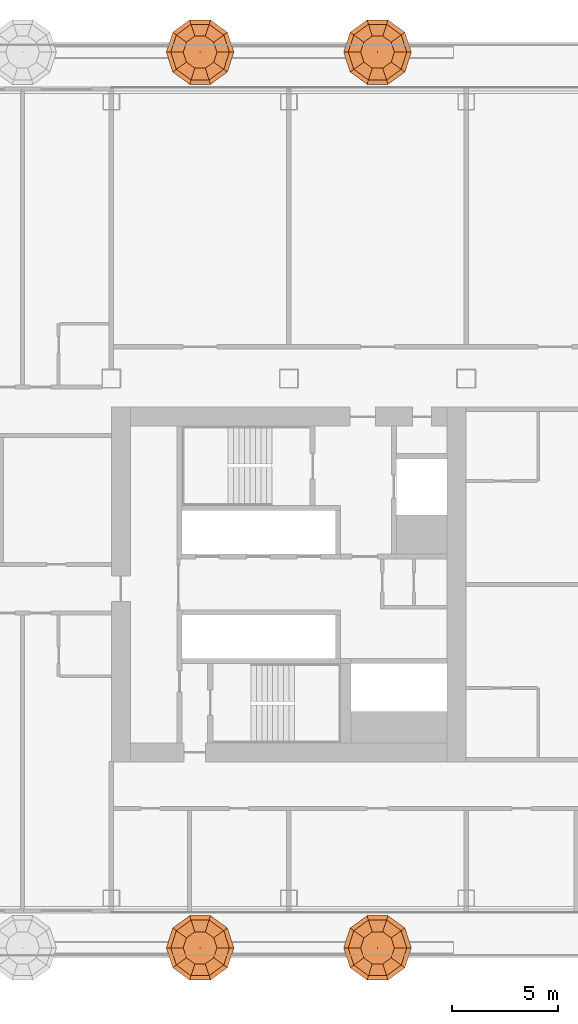
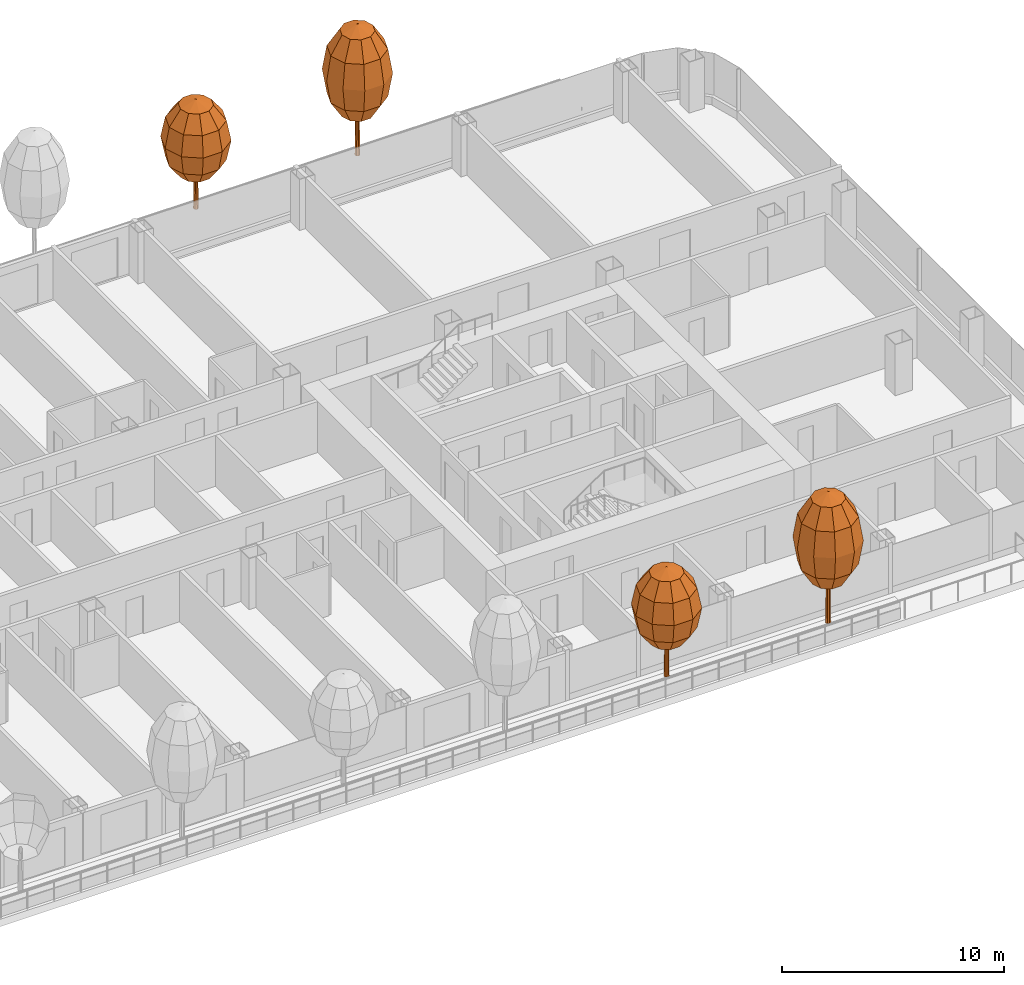
# One storey, part 34 of 34: 4 geographic elements.
"""IFC4 building model written with IfcOpenShell, lengths in metres."""

from ifc_helpers import new_model, si_unit, direction, frame, origin, place, context, subcontext, project, spatial, triangles, material, type_object, element, save


model = new_model("IFC4")

# Units and contexts
model_context = context("Model", 3, precision=1e-05, world=origin(), true_north=direction((0.0, 1.0)))
body_context = subcontext(model_context, "Body", "Model", "MODEL_VIEW")
ifc_project = project(units=[si_unit("LENGTHUNIT", "METRE"), si_unit("AREAUNIT", "SQUARE_METRE"), si_unit("VOLUMEUNIT", "CUBIC_METRE"), si_unit("PLANEANGLEUNIT", "RADIAN"), si_unit("MASSUNIT", "GRAM", prefix="KILO")], contexts=[model_context])

# Site, building, storey
site_placement = place(None, origin())
site = spatial("IfcSite", under=ifc_project, at=site_placement, CompositionType="ELEMENT")
building_placement = place(site_placement, origin())
building = spatial("IfcBuilding", under=site, at=building_placement, Name="Hakoniwa Tower and Hamabe Station Hall", CompositionType="ELEMENT")
storey_placement = place(building_placement, frame((0.0, 0.0, 94.60009765625)))
storey = spatial("IfcBuildingStorey", under=building, at=storey_placement, Name="L26", CompositionType="ELEMENT", Elevation=94.60009765625)

# Geographic elements
ifc_material_1 = material(Name="Tree foliage")
geographic_element_type_1 = type_object("IfcGeographicElementType", Name="Japanese maple 7.2 m", PredefinedType="USERDEFINED", material=ifc_material_1)
geographic_element_1_placement = place(storey_placement, frame((29.39990234375, 25.199951171875, 0.89990234375)))
element("IfcGeographicElement", 1, at=geographic_element_1_placement, inside=storey, type_object=geographic_element_type_1, Name="Japanese maple 7-2 m", ObjectType="TREE", PredefinedType="USERDEFINED", context=body_context, shape_type="Tessellation", body=[
    triangles([(0.125, 0.0, 0.0), (0.08837890625, 0.08837890625, 0.0), (0.0, 0.125, 0.0), (-0.08837890625, 0.08837890625, 0.0), (-0.125, 0.0, 0.0), (-0.08837890625, -0.08837890625, 0.0), (0.0, -0.125, 0.0), (0.08837890625, -0.08837890625, 0.0), (0.074951171875, 0.0, 4.348876953125), (0.052978515625, 0.052978515625, 4.348876953125), (0.0, 0.074951171875, 4.348876953125), (-0.052978515625, 0.052978515625, 4.348876953125), (-0.074951171875, 0.0, 4.348876953125), (-0.052978515625, -0.052978515625, 4.348876953125), (0.0, -0.074951171875, 4.348876953125), (0.052978515625, -0.052978515625, 4.348876953125), (0.0, 0.0, 0.0), (0.0, 0.0, 4.348876953125)], [[1, 2, 10], [1, 10, 9], [17, 2, 1], [18, 9, 10], [2, 3, 11], [2, 11, 10], [17, 3, 2], [18, 10, 11], [3, 4, 12], [3, 12, 11], [17, 4, 3], [18, 11, 12], [4, 5, 13], [4, 13, 12], [17, 5, 4], [18, 12, 13], [5, 6, 14], [5, 14, 13], [17, 6, 5], [18, 13, 14], [6, 7, 15], [6, 15, 14], [17, 7, 6], [18, 14, 15], [7, 8, 16], [7, 16, 15], [17, 8, 7], [18, 15, 16], [8, 1, 9], [8, 9, 16], [17, 1, 8], [18, 16, 9]], closed=True),
    triangles([(0.0, 0.0, 2.015869140625), (0.800048828125, 0.0, 2.36328125), (0.647216796875, 0.47021484375, 2.36328125), (0.247314453125, 0.7607421875, 2.36328125), (-0.247314453125, 0.7607421875, 2.36328125), (-0.647216796875, 0.47021484375, 2.36328125), (-0.800048828125, 0.0, 2.36328125), (-0.647216796875, -0.47021484375, 2.36328125), (-0.247314453125, -0.7607421875, 2.36328125), (0.247314453125, -0.7607421875, 2.36328125), (0.647216796875, -0.47021484375, 2.36328125), (1.385498046875, 0.0, 3.31201171875), (1.12109375, 0.814453125, 3.31201171875), (0.42822265625, 1.31787109375, 3.31201171875), (-0.42822265625, 1.31787109375, 3.31201171875), (-1.12109375, 0.814453125, 3.31201171875), (-1.385498046875, 0.0, 3.31201171875), (-1.12109375, -0.814453125, 3.31201171875), (-0.42822265625, -1.31787109375, 3.31201171875), (0.42822265625, -1.31787109375, 3.31201171875), (1.12109375, -0.814453125, 3.31201171875), (1.60009765625, 0.0, 4.60791015625), (1.29443359375, 0.9404296875, 4.60791015625), (0.494384765625, 1.521728515625, 4.60791015625), (-0.494384765625, 1.521728515625, 4.60791015625), (-1.29443359375, 0.9404296875, 4.60791015625), (-1.60009765625, 0.0, 4.60791015625), (-1.29443359375, -0.9404296875, 4.60791015625), (-0.494384765625, -1.521728515625, 4.60791015625), (0.494384765625, -1.521728515625, 4.60791015625), (1.29443359375, -0.9404296875, 4.60791015625), (1.385498046875, 0.0, 5.904052734375), (1.12109375, 0.814453125, 5.904052734375), (0.42822265625, 1.31787109375, 5.904052734375), (-0.42822265625, 1.31787109375, 5.904052734375), (-1.12109375, 0.814453125, 5.904052734375), (-1.385498046875, 0.0, 5.904052734375), (-1.12109375, -0.814453125, 5.904052734375), (-0.42822265625, -1.31787109375, 5.904052734375), (0.42822265625, -1.31787109375, 5.904052734375), (1.12109375, -0.814453125, 5.904052734375), (0.800048828125, 0.0, 6.852783203125), (0.647216796875, 0.47021484375, 6.852783203125), (0.247314453125, 0.7607421875, 6.852783203125), (-0.247314453125, 0.7607421875, 6.852783203125), (-0.647216796875, 0.47021484375, 6.852783203125), (-0.800048828125, 0.0, 6.852783203125), (-0.647216796875, -0.47021484375, 6.852783203125), (-0.247314453125, -0.7607421875, 6.852783203125), (0.247314453125, -0.7607421875, 6.852783203125), (0.647216796875, -0.47021484375, 6.852783203125), (0.0, 0.0, 7.199951171875)], [[1, 3, 2], [1, 4, 3], [1, 5, 4], [1, 6, 5], [1, 7, 6], [1, 8, 7], [1, 9, 8], [1, 10, 9], [1, 11, 10], [1, 2, 11], [2, 3, 13], [2, 13, 12], [3, 4, 14], [3, 14, 13], [4, 5, 15], [4, 15, 14], [5, 6, 16], [5, 16, 15], [6, 7, 17], [6, 17, 16], [7, 8, 18], [7, 18, 17], [8, 9, 19], [8, 19, 18], [9, 10, 20], [9, 20, 19], [10, 11, 21], [10, 21, 20], [11, 2, 12], [11, 12, 21], [12, 13, 23], [12, 23, 22], [13, 14, 24], [13, 24, 23], [14, 15, 25], [14, 25, 24], [15, 16, 26], [15, 26, 25], [16, 17, 27], [16, 27, 26], [17, 18, 28], [17, 28, 27], [18, 19, 29], [18, 29, 28], [19, 20, 30], [19, 30, 29], [20, 21, 31], [20, 31, 30], [21, 12, 22], [21, 22, 31], [22, 23, 33], [22, 33, 32], [23, 24, 34], [23, 34, 33], [24, 25, 35], [24, 35, 34], [25, 26, 36], [25, 36, 35], [26, 27, 37], [26, 37, 36], [27, 28, 38], [27, 38, 37], [28, 29, 39], [28, 39, 38], [29, 30, 40], [29, 40, 39], [30, 31, 41], [30, 41, 40], [31, 22, 32], [31, 32, 41], [32, 33, 43], [32, 43, 42], [33, 34, 44], [33, 44, 43], [34, 35, 45], [34, 45, 44], [35, 36, 46], [35, 46, 45], [36, 37, 47], [36, 47, 46], [37, 38, 48], [37, 48, 47], [38, 39, 49], [38, 49, 48], [39, 40, 50], [39, 50, 49], [40, 41, 51], [40, 51, 50], [41, 32, 42], [41, 42, 51], [52, 42, 43], [52, 43, 44], [52, 44, 45], [52, 45, 46], [52, 46, 47], [52, 47, 48], [52, 48, 49], [52, 49, 50], [52, 50, 51], [52, 51, 42]], closed=True),
])
geographic_element_2_placement = place(storey_placement, frame((29.39990234375, -17.199951171875, 0.89990234375)))
element("IfcGeographicElement", 2, at=geographic_element_2_placement, inside=storey, type_object=geographic_element_type_1, Name="Japanese maple 7-2 m", ObjectType="TREE", PredefinedType="USERDEFINED", context=body_context, shape_type="Tessellation", body=[
    triangles([(0.125, 0.0, 0.0), (0.08837890625, 0.08837890625, 0.0), (0.0, 0.125, 0.0), (-0.08837890625, 0.08837890625, 0.0), (-0.125, 0.0, 0.0), (-0.08837890625, -0.08837890625, 0.0), (0.0, -0.125, 0.0), (0.08837890625, -0.08837890625, 0.0), (0.074951171875, 0.0, 4.348876953125), (0.052978515625, 0.052978515625, 4.348876953125), (0.0, 0.074951171875, 4.348876953125), (-0.052978515625, 0.052978515625, 4.348876953125), (-0.074951171875, 0.0, 4.348876953125), (-0.052978515625, -0.052978515625, 4.348876953125), (0.0, -0.074951171875, 4.348876953125), (0.052978515625, -0.052978515625, 4.348876953125), (0.0, 0.0, 0.0), (0.0, 0.0, 4.348876953125)], [[1, 2, 10], [1, 10, 9], [17, 2, 1], [18, 9, 10], [2, 3, 11], [2, 11, 10], [17, 3, 2], [18, 10, 11], [3, 4, 12], [3, 12, 11], [17, 4, 3], [18, 11, 12], [4, 5, 13], [4, 13, 12], [17, 5, 4], [18, 12, 13], [5, 6, 14], [5, 14, 13], [17, 6, 5], [18, 13, 14], [6, 7, 15], [6, 15, 14], [17, 7, 6], [18, 14, 15], [7, 8, 16], [7, 16, 15], [17, 8, 7], [18, 15, 16], [8, 1, 9], [8, 9, 16], [17, 1, 8], [18, 16, 9]], closed=True),
    triangles([(0.0, 0.0, 2.015869140625), (0.800048828125, 0.0, 2.36328125), (0.647216796875, 0.47021484375, 2.36328125), (0.247314453125, 0.7607421875, 2.36328125), (-0.247314453125, 0.7607421875, 2.36328125), (-0.647216796875, 0.47021484375, 2.36328125), (-0.800048828125, 0.0, 2.36328125), (-0.647216796875, -0.47021484375, 2.36328125), (-0.247314453125, -0.7607421875, 2.36328125), (0.247314453125, -0.7607421875, 2.36328125), (0.647216796875, -0.47021484375, 2.36328125), (1.385498046875, 0.0, 3.31201171875), (1.12109375, 0.814453125, 3.31201171875), (0.42822265625, 1.31787109375, 3.31201171875), (-0.42822265625, 1.31787109375, 3.31201171875), (-1.12109375, 0.814453125, 3.31201171875), (-1.385498046875, 0.0, 3.31201171875), (-1.12109375, -0.814453125, 3.31201171875), (-0.42822265625, -1.31787109375, 3.31201171875), (0.42822265625, -1.31787109375, 3.31201171875), (1.12109375, -0.814453125, 3.31201171875), (1.60009765625, 0.0, 4.60791015625), (1.29443359375, 0.9404296875, 4.60791015625), (0.494384765625, 1.521728515625, 4.60791015625), (-0.494384765625, 1.521728515625, 4.60791015625), (-1.29443359375, 0.9404296875, 4.60791015625), (-1.60009765625, 0.0, 4.60791015625), (-1.29443359375, -0.9404296875, 4.60791015625), (-0.494384765625, -1.521728515625, 4.60791015625), (0.494384765625, -1.521728515625, 4.60791015625), (1.29443359375, -0.9404296875, 4.60791015625), (1.385498046875, 0.0, 5.904052734375), (1.12109375, 0.814453125, 5.904052734375), (0.42822265625, 1.31787109375, 5.904052734375), (-0.42822265625, 1.31787109375, 5.904052734375), (-1.12109375, 0.814453125, 5.904052734375), (-1.385498046875, 0.0, 5.904052734375), (-1.12109375, -0.814453125, 5.904052734375), (-0.42822265625, -1.31787109375, 5.904052734375), (0.42822265625, -1.31787109375, 5.904052734375), (1.12109375, -0.814453125, 5.904052734375), (0.800048828125, 0.0, 6.852783203125), (0.647216796875, 0.47021484375, 6.852783203125), (0.247314453125, 0.7607421875, 6.852783203125), (-0.247314453125, 0.7607421875, 6.852783203125), (-0.647216796875, 0.47021484375, 6.852783203125), (-0.800048828125, 0.0, 6.852783203125), (-0.647216796875, -0.47021484375, 6.852783203125), (-0.247314453125, -0.7607421875, 6.852783203125), (0.247314453125, -0.7607421875, 6.852783203125), (0.647216796875, -0.47021484375, 6.852783203125), (0.0, 0.0, 7.199951171875)], [[1, 3, 2], [1, 4, 3], [1, 5, 4], [1, 6, 5], [1, 7, 6], [1, 8, 7], [1, 9, 8], [1, 10, 9], [1, 11, 10], [1, 2, 11], [2, 3, 13], [2, 13, 12], [3, 4, 14], [3, 14, 13], [4, 5, 15], [4, 15, 14], [5, 6, 16], [5, 16, 15], [6, 7, 17], [6, 17, 16], [7, 8, 18], [7, 18, 17], [8, 9, 19], [8, 19, 18], [9, 10, 20], [9, 20, 19], [10, 11, 21], [10, 21, 20], [11, 2, 12], [11, 12, 21], [12, 13, 23], [12, 23, 22], [13, 14, 24], [13, 24, 23], [14, 15, 25], [14, 25, 24], [15, 16, 26], [15, 26, 25], [16, 17, 27], [16, 27, 26], [17, 18, 28], [17, 28, 27], [18, 19, 29], [18, 29, 28], [19, 20, 30], [19, 30, 29], [20, 21, 31], [20, 31, 30], [21, 12, 22], [21, 22, 31], [22, 23, 33], [22, 33, 32], [23, 24, 34], [23, 34, 33], [24, 25, 35], [24, 35, 34], [25, 26, 36], [25, 36, 35], [26, 27, 37], [26, 37, 36], [27, 28, 38], [27, 38, 37], [28, 29, 39], [28, 39, 38], [29, 30, 40], [29, 40, 39], [30, 31, 41], [30, 41, 40], [31, 22, 32], [31, 32, 41], [32, 33, 43], [32, 43, 42], [33, 34, 44], [33, 44, 43], [34, 35, 45], [34, 45, 44], [35, 36, 46], [35, 46, 45], [36, 37, 47], [36, 47, 46], [37, 38, 48], [37, 48, 47], [38, 39, 49], [38, 49, 48], [39, 40, 50], [39, 50, 49], [40, 41, 51], [40, 51, 50], [41, 32, 42], [41, 42, 51], [52, 42, 43], [52, 43, 44], [52, 44, 45], [52, 45, 46], [52, 46, 47], [52, 47, 48], [52, 48, 49], [52, 49, 50], [52, 50, 51], [52, 51, 42]], closed=True),
])
ifc_material_2 = material(Name="Tree foliage")
geographic_element_type_2 = type_object("IfcGeographicElementType", Name="Osmanthus 6.0 m", PredefinedType="USERDEFINED", material=ifc_material_2)
geographic_element_3_placement = place(storey_placement, frame((21.0, 25.199951171875, 0.89990234375)))
element("IfcGeographicElement", 3, at=geographic_element_3_placement, inside=storey, type_object=geographic_element_type_2, Name="Osmanthus 6-0 m", ObjectType="TREE", PredefinedType="USERDEFINED", context=body_context, shape_type="Tessellation", body=[
    triangles([(0.125, 0.0, 0.0), (0.08837890625, 0.08837890625, 0.0), (0.0, 0.125, 0.0), (-0.08837890625, 0.08837890625, 0.0), (-0.125, 0.0, 0.0), (-0.08837890625, -0.08837890625, 0.0), (0.0, -0.125, 0.0), (0.08837890625, -0.08837890625, 0.0), (0.074951171875, 0.0, 3.6240234375), (0.052978515625, 0.052978515625, 3.6240234375), (0.0, 0.074951171875, 3.6240234375), (-0.052978515625, 0.052978515625, 3.6240234375), (-0.074951171875, 0.0, 3.6240234375), (-0.052978515625, -0.052978515625, 3.6240234375), (0.0, -0.074951171875, 3.6240234375), (0.052978515625, -0.052978515625, 3.6240234375), (0.0, 0.0, 0.0), (0.0, 0.0, 3.6240234375)], [[1, 2, 10], [1, 10, 9], [17, 2, 1], [18, 9, 10], [2, 3, 11], [2, 11, 10], [17, 3, 2], [18, 10, 11], [3, 4, 12], [3, 12, 11], [17, 4, 3], [18, 11, 12], [4, 5, 13], [4, 13, 12], [17, 5, 4], [18, 12, 13], [5, 6, 14], [5, 14, 13], [17, 6, 5], [18, 13, 14], [6, 7, 15], [6, 15, 14], [17, 7, 6], [18, 14, 15], [7, 8, 16], [7, 16, 15], [17, 8, 7], [18, 15, 16], [8, 1, 9], [8, 9, 16], [17, 1, 8], [18, 16, 9]], closed=True),
    triangles([(0.0, 0.0, 1.679931640625), (0.800048828125, 0.0, 1.969482421875), (0.647216796875, 0.47021484375, 1.969482421875), (0.247314453125, 0.7607421875, 1.969482421875), (-0.247314453125, 0.7607421875, 1.969482421875), (-0.647216796875, 0.47021484375, 1.969482421875), (-0.800048828125, 0.0, 1.969482421875), (-0.647216796875, -0.47021484375, 1.969482421875), (-0.247314453125, -0.7607421875, 1.969482421875), (0.247314453125, -0.7607421875, 1.969482421875), (0.647216796875, -0.47021484375, 1.969482421875), (1.385498046875, 0.0, 2.760009765625), (1.12109375, 0.814453125, 2.760009765625), (0.42822265625, 1.31787109375, 2.760009765625), (-0.42822265625, 1.31787109375, 2.760009765625), (-1.12109375, 0.814453125, 2.760009765625), (-1.385498046875, 0.0, 2.760009765625), (-1.12109375, -0.814453125, 2.760009765625), (-0.42822265625, -1.31787109375, 2.760009765625), (0.42822265625, -1.31787109375, 2.760009765625), (1.12109375, -0.814453125, 2.760009765625), (1.60009765625, 0.0, 3.840087890625), (1.29443359375, 0.9404296875, 3.840087890625), (0.494384765625, 1.521728515625, 3.840087890625), (-0.494384765625, 1.521728515625, 3.840087890625), (-1.29443359375, 0.9404296875, 3.840087890625), (-1.60009765625, 0.0, 3.840087890625), (-1.29443359375, -0.9404296875, 3.840087890625), (-0.494384765625, -1.521728515625, 3.840087890625), (0.494384765625, -1.521728515625, 3.840087890625), (1.29443359375, -0.9404296875, 3.840087890625), (1.385498046875, 0.0, 4.919921875), (1.12109375, 0.814453125, 4.919921875), (0.42822265625, 1.31787109375, 4.919921875), (-0.42822265625, 1.31787109375, 4.919921875), (-1.12109375, 0.814453125, 4.919921875), (-1.385498046875, 0.0, 4.919921875), (-1.12109375, -0.814453125, 4.919921875), (-0.42822265625, -1.31787109375, 4.919921875), (0.42822265625, -1.31787109375, 4.919921875), (1.12109375, -0.814453125, 4.919921875), (0.800048828125, 0.0, 5.710693359375), (0.647216796875, 0.47021484375, 5.710693359375), (0.247314453125, 0.7607421875, 5.710693359375), (-0.247314453125, 0.7607421875, 5.710693359375), (-0.647216796875, 0.47021484375, 5.710693359375), (-0.800048828125, 0.0, 5.710693359375), (-0.647216796875, -0.47021484375, 5.710693359375), (-0.247314453125, -0.7607421875, 5.710693359375), (0.247314453125, -0.7607421875, 5.710693359375), (0.647216796875, -0.47021484375, 5.710693359375), (0.0, 0.0, 6.0)], [[1, 3, 2], [1, 4, 3], [1, 5, 4], [1, 6, 5], [1, 7, 6], [1, 8, 7], [1, 9, 8], [1, 10, 9], [1, 11, 10], [1, 2, 11], [2, 3, 13], [2, 13, 12], [3, 4, 14], [3, 14, 13], [4, 5, 15], [4, 15, 14], [5, 6, 16], [5, 16, 15], [6, 7, 17], [6, 17, 16], [7, 8, 18], [7, 18, 17], [8, 9, 19], [8, 19, 18], [9, 10, 20], [9, 20, 19], [10, 11, 21], [10, 21, 20], [11, 2, 12], [11, 12, 21], [12, 13, 23], [12, 23, 22], [13, 14, 24], [13, 24, 23], [14, 15, 25], [14, 25, 24], [15, 16, 26], [15, 26, 25], [16, 17, 27], [16, 27, 26], [17, 18, 28], [17, 28, 27], [18, 19, 29], [18, 29, 28], [19, 20, 30], [19, 30, 29], [20, 21, 31], [20, 31, 30], [21, 12, 22], [21, 22, 31], [22, 23, 33], [22, 33, 32], [23, 24, 34], [23, 34, 33], [24, 25, 35], [24, 35, 34], [25, 26, 36], [25, 36, 35], [26, 27, 37], [26, 37, 36], [27, 28, 38], [27, 38, 37], [28, 29, 39], [28, 39, 38], [29, 30, 40], [29, 40, 39], [30, 31, 41], [30, 41, 40], [31, 22, 32], [31, 32, 41], [32, 33, 43], [32, 43, 42], [33, 34, 44], [33, 44, 43], [34, 35, 45], [34, 45, 44], [35, 36, 46], [35, 46, 45], [36, 37, 47], [36, 47, 46], [37, 38, 48], [37, 48, 47], [38, 39, 49], [38, 49, 48], [39, 40, 50], [39, 50, 49], [40, 41, 51], [40, 51, 50], [41, 32, 42], [41, 42, 51], [52, 42, 43], [52, 43, 44], [52, 44, 45], [52, 45, 46], [52, 46, 47], [52, 47, 48], [52, 48, 49], [52, 49, 50], [52, 50, 51], [52, 51, 42]], closed=True),
])
geographic_element_4_placement = place(storey_placement, frame((21.0, -17.199951171875, 0.89990234375)))
element("IfcGeographicElement", 4, at=geographic_element_4_placement, inside=storey, type_object=geographic_element_type_2, Name="Osmanthus 6-0 m", ObjectType="TREE", PredefinedType="USERDEFINED", context=body_context, shape_type="Tessellation", body=[
    triangles([(0.125, 0.0, 0.0), (0.08837890625, 0.08837890625, 0.0), (0.0, 0.125, 0.0), (-0.08837890625, 0.08837890625, 0.0), (-0.125, 0.0, 0.0), (-0.08837890625, -0.08837890625, 0.0), (0.0, -0.125, 0.0), (0.08837890625, -0.08837890625, 0.0), (0.074951171875, 0.0, 3.6240234375), (0.052978515625, 0.052978515625, 3.6240234375), (0.0, 0.074951171875, 3.6240234375), (-0.052978515625, 0.052978515625, 3.6240234375), (-0.074951171875, 0.0, 3.6240234375), (-0.052978515625, -0.052978515625, 3.6240234375), (0.0, -0.074951171875, 3.6240234375), (0.052978515625, -0.052978515625, 3.6240234375), (0.0, 0.0, 0.0), (0.0, 0.0, 3.6240234375)], [[1, 2, 10], [1, 10, 9], [17, 2, 1], [18, 9, 10], [2, 3, 11], [2, 11, 10], [17, 3, 2], [18, 10, 11], [3, 4, 12], [3, 12, 11], [17, 4, 3], [18, 11, 12], [4, 5, 13], [4, 13, 12], [17, 5, 4], [18, 12, 13], [5, 6, 14], [5, 14, 13], [17, 6, 5], [18, 13, 14], [6, 7, 15], [6, 15, 14], [17, 7, 6], [18, 14, 15], [7, 8, 16], [7, 16, 15], [17, 8, 7], [18, 15, 16], [8, 1, 9], [8, 9, 16], [17, 1, 8], [18, 16, 9]], closed=True),
    triangles([(0.0, 0.0, 1.679931640625), (0.800048828125, 0.0, 1.969482421875), (0.647216796875, 0.47021484375, 1.969482421875), (0.247314453125, 0.7607421875, 1.969482421875), (-0.247314453125, 0.7607421875, 1.969482421875), (-0.647216796875, 0.47021484375, 1.969482421875), (-0.800048828125, 0.0, 1.969482421875), (-0.647216796875, -0.47021484375, 1.969482421875), (-0.247314453125, -0.7607421875, 1.969482421875), (0.247314453125, -0.7607421875, 1.969482421875), (0.647216796875, -0.47021484375, 1.969482421875), (1.385498046875, 0.0, 2.760009765625), (1.12109375, 0.814453125, 2.760009765625), (0.42822265625, 1.31787109375, 2.760009765625), (-0.42822265625, 1.31787109375, 2.760009765625), (-1.12109375, 0.814453125, 2.760009765625), (-1.385498046875, 0.0, 2.760009765625), (-1.12109375, -0.814453125, 2.760009765625), (-0.42822265625, -1.31787109375, 2.760009765625), (0.42822265625, -1.31787109375, 2.760009765625), (1.12109375, -0.814453125, 2.760009765625), (1.60009765625, 0.0, 3.840087890625), (1.29443359375, 0.9404296875, 3.840087890625), (0.494384765625, 1.521728515625, 3.840087890625), (-0.494384765625, 1.521728515625, 3.840087890625), (-1.29443359375, 0.9404296875, 3.840087890625), (-1.60009765625, 0.0, 3.840087890625), (-1.29443359375, -0.9404296875, 3.840087890625), (-0.494384765625, -1.521728515625, 3.840087890625), (0.494384765625, -1.521728515625, 3.840087890625), (1.29443359375, -0.9404296875, 3.840087890625), (1.385498046875, 0.0, 4.919921875), (1.12109375, 0.814453125, 4.919921875), (0.42822265625, 1.31787109375, 4.919921875), (-0.42822265625, 1.31787109375, 4.919921875), (-1.12109375, 0.814453125, 4.919921875), (-1.385498046875, 0.0, 4.919921875), (-1.12109375, -0.814453125, 4.919921875), (-0.42822265625, -1.31787109375, 4.919921875), (0.42822265625, -1.31787109375, 4.919921875), (1.12109375, -0.814453125, 4.919921875), (0.800048828125, 0.0, 5.710693359375), (0.647216796875, 0.47021484375, 5.710693359375), (0.247314453125, 0.7607421875, 5.710693359375), (-0.247314453125, 0.7607421875, 5.710693359375), (-0.647216796875, 0.47021484375, 5.710693359375), (-0.800048828125, 0.0, 5.710693359375), (-0.647216796875, -0.47021484375, 5.710693359375), (-0.247314453125, -0.7607421875, 5.710693359375), (0.247314453125, -0.7607421875, 5.710693359375), (0.647216796875, -0.47021484375, 5.710693359375), (0.0, 0.0, 6.0)], [[1, 3, 2], [1, 4, 3], [1, 5, 4], [1, 6, 5], [1, 7, 6], [1, 8, 7], [1, 9, 8], [1, 10, 9], [1, 11, 10], [1, 2, 11], [2, 3, 13], [2, 13, 12], [3, 4, 14], [3, 14, 13], [4, 5, 15], [4, 15, 14], [5, 6, 16], [5, 16, 15], [6, 7, 17], [6, 17, 16], [7, 8, 18], [7, 18, 17], [8, 9, 19], [8, 19, 18], [9, 10, 20], [9, 20, 19], [10, 11, 21], [10, 21, 20], [11, 2, 12], [11, 12, 21], [12, 13, 23], [12, 23, 22], [13, 14, 24], [13, 24, 23], [14, 15, 25], [14, 25, 24], [15, 16, 26], [15, 26, 25], [16, 17, 27], [16, 27, 26], [17, 18, 28], [17, 28, 27], [18, 19, 29], [18, 29, 28], [19, 20, 30], [19, 30, 29], [20, 21, 31], [20, 31, 30], [21, 12, 22], [21, 22, 31], [22, 23, 33], [22, 33, 32], [23, 24, 34], [23, 34, 33], [24, 25, 35], [24, 35, 34], [25, 26, 36], [25, 36, 35], [26, 27, 37], [26, 37, 36], [27, 28, 38], [27, 38, 37], [28, 29, 39], [28, 39, 38], [29, 30, 40], [29, 40, 39], [30, 31, 41], [30, 41, 40], [31, 22, 32], [31, 32, 41], [32, 33, 43], [32, 43, 42], [33, 34, 44], [33, 44, 43], [34, 35, 45], [34, 45, 44], [35, 36, 46], [35, 46, 45], [36, 37, 47], [36, 47, 46], [37, 38, 48], [37, 48, 47], [38, 39, 49], [38, 49, 48], [39, 40, 50], [39, 50, 49], [40, 41, 51], [40, 51, 50], [41, 32, 42], [41, 42, 51], [52, 42, 43], [52, 43, 44], [52, 44, 45], [52, 45, 46], [52, 46, 47], [52, 47, 48], [52, 48, 49], [52, 49, 50], [52, 50, 51], [52, 51, 42]], closed=True),
])

save(model, "model.ifc")
